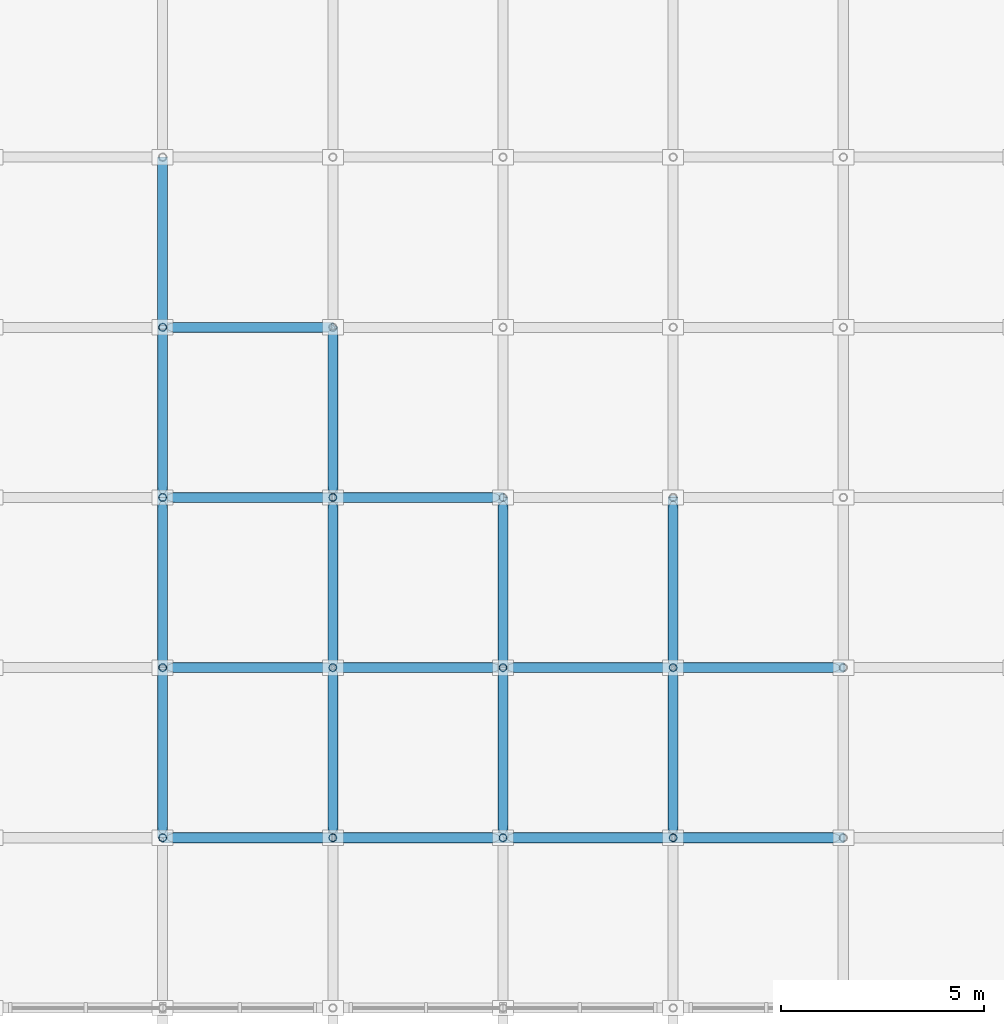
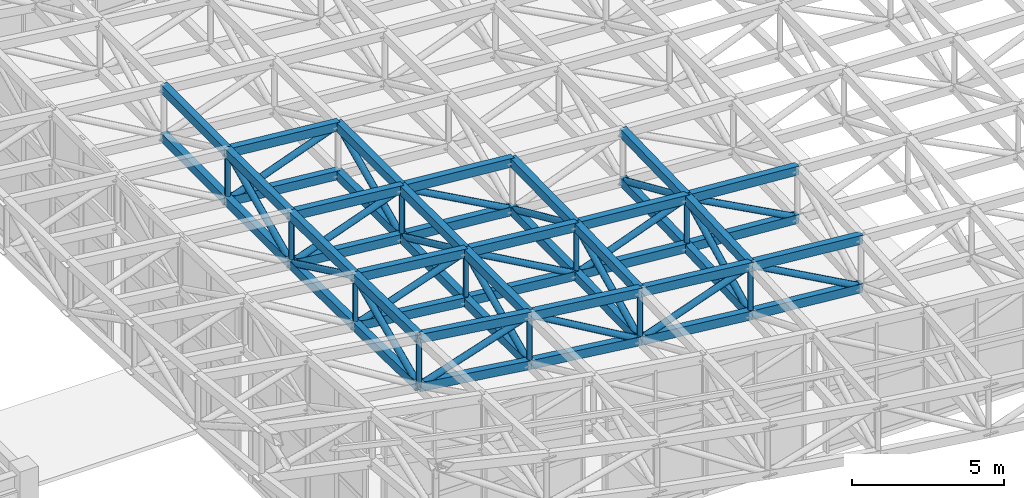
# One storey, part 26 of 111: 76 members.
"""IFC4 building model written with IfcOpenShell, lengths in metres."""

from ifc_helpers import new_model, si_unit, direction, frame, origin, origin_2d, place, context, subcontext, project, spatial, hollow_rectangle, hollow_circle, extrude, material, material_profile, profile_set, type_object, element, save


model = new_model("IFC4")

# Units and contexts
model_context = context("Model", 3, precision=1e-05, world=origin(), true_north=direction((0.0, 1.0)))
body_context = subcontext(model_context, "Body", "Model", "MODEL_VIEW")
ifc_project = project(units=[si_unit("LENGTHUNIT", "METRE"), si_unit("AREAUNIT", "SQUARE_METRE"), si_unit("VOLUMEUNIT", "CUBIC_METRE"), si_unit("PLANEANGLEUNIT", "RADIAN"), si_unit("MASSUNIT", "GRAM", prefix="KILO")], contexts=[model_context])

# Site, building, storey
site_placement = place(None, origin())
site = spatial("IfcSite", under=ifc_project, at=site_placement, CompositionType="ELEMENT")
building_placement = place(site_placement, origin())
building = spatial("IfcBuilding", under=site, at=building_placement, Name="Cumbredor Promenade Congress Hotel", CompositionType="ELEMENT")
storey_placement = place(building_placement, frame((0.0, 0.0, 15.1201171875)))
storey = spatial("IfcBuildingStorey", under=building, at=storey_placement, Name="L04", CompositionType="ELEMENT", Elevation=15.1201171875)

# Members
ifc_material = material(Name="Steel ASTM A500 Grade C", Category="steel")
ifc_material_profile_1 = material_profile(ifc_material, hollow_rectangle(XDim=0.25, YDim=0.35009765625, WallThickness=0.01611328125, at=origin_2d()), Name="HSS 350x250x16")
ifc_profile_set_1 = profile_set([ifc_material_profile_1], Name="Steel ASTM A500 Grade C")
member_type_1 = type_object("IfcMemberType", Name="Forum Roof Truss Chord", PredefinedType="CHORD", material=ifc_profile_set_1)
for number, where, z_axis, x_axis, name in (
    (1, (96.60009765625, 88.199951171875, 6.60009765625), (0.99078279409, 0.0, -0.135460159955), (0.0, 1.0, 0.0), "Pre-Function and Breakout Meeting Forum X Top Chord 3.3"),
    (2, (96.60009765625, 88.199951171875, 4.650146484375), (0.990775062808, 0.0, -0.135516696087), (0.0, 1.0, 0.0), "Pre-Function and Breakout Meeting Forum X Bottom Chord 3.3"),
):
    element("IfcMember", number, at=place(storey_placement, frame(where, z_axis=z_axis, x_axis=x_axis)), inside=storey, type_object=member_type_1, Name=name, PredefinedType="CHORD", context=body_context, shape_type="SweptSolid", body=[
        extrude(hollow_rectangle(XDim=0.25, YDim=0.35009765625, WallThickness=0.01611328125, at=origin_2d()), origin(), (0.0, 0.0, 1.0), 4.239013671875),
    ])
for number, where, z_axis, x_axis, name in (
    (3, (100.800048828125, 88.199951171875, 6.02587890625), (0.992790285705, 0.0, -0.119864292473), (0.0, 1.0, 0.0), "Pre-Function and Breakout Meeting Forum X Top Chord 4.3"),
    (4, (100.800048828125, 88.199951171875, 4.07568359375), (0.992790285705, 0.0, -0.119864292473), (0.0, 1.0, 0.0), "Pre-Function and Breakout Meeting Forum X Bottom Chord 4.3"),
):
    element("IfcMember", number, at=place(storey_placement, frame(where, z_axis=z_axis, x_axis=x_axis)), inside=storey, type_object=member_type_1, Name=name, PredefinedType="CHORD", context=body_context, shape_type="SweptSolid", body=[
        extrude(hollow_rectangle(XDim=0.25, YDim=0.35009765625, WallThickness=0.01611328125, at=origin_2d()), origin(), (0.0, 0.0, 1.0), 4.23046875),
    ])
for number, where, z_axis, x_axis, name in (
    (5, (105.0, 88.199951171875, 5.518798828125), (0.994564532664, 0.0, -0.104121997519), (0.0, 1.0, 0.0), "Pre-Function and Breakout Meeting Forum X Top Chord 5.3"),
    (6, (105.0, 88.199951171875, 3.568603515625), (0.994564532664, 0.0, -0.104121997519), (0.0, 1.0, 0.0), "Pre-Function and Breakout Meeting Forum X Bottom Chord 5.3"),
):
    element("IfcMember", number, at=place(storey_placement, frame(where, z_axis=z_axis, x_axis=x_axis)), inside=storey, type_object=member_type_1, Name=name, PredefinedType="CHORD", context=body_context, shape_type="SweptSolid", body=[
        extrude(hollow_rectangle(XDim=0.25, YDim=0.35009765625, WallThickness=0.01611328125, at=origin_2d()), origin(), (0.0, 0.0, 1.0), 4.222900390625),
    ])
for number, where, z_axis, x_axis, name in (
    (7, (109.199951171875, 88.199951171875, 5.0791015625), (0.996093832538, 0.0, -0.088301057642), (0.0, 1.0, 0.0), "Pre-Function and Breakout Meeting Forum X Top Chord 6.3"),
    (8, (109.199951171875, 88.199951171875, 3.12890625), (0.996098923772, 0.0, -0.088243606338), (0.0, 1.0, 0.0), "Pre-Function and Breakout Meeting Forum X Bottom Chord 6.3"),
):
    element("IfcMember", number, at=place(storey_placement, frame(where, z_axis=z_axis, x_axis=x_axis)), inside=storey, type_object=member_type_1, Name=name, PredefinedType="CHORD", context=body_context, shape_type="SweptSolid", body=[
        extrude(hollow_rectangle(XDim=0.25, YDim=0.35009765625, WallThickness=0.01611328125, at=origin_2d()), origin(), (0.0, 0.0, 1.0), 4.21630859375),
    ])
for number, where, z_axis, x_axis, name in (
    (9, (96.60009765625, 92.39990234375, 6.5), (0.993701360609, 0.0, -0.112060724268), (0.0, 1.0, 0.0), "Pre-Function and Breakout Meeting Forum X Top Chord 3.4"),
    (10, (96.60009765625, 92.39990234375, 4.5498046875), (0.993701360609, 0.0, -0.112060724268), (0.0, 1.0, 0.0), "Pre-Function and Breakout Meeting Forum X Bottom Chord 3.4"),
):
    element("IfcMember", number, at=place(storey_placement, frame(where, z_axis=z_axis, x_axis=x_axis)), inside=storey, type_object=member_type_1, Name=name, PredefinedType="CHORD", context=body_context, shape_type="SweptSolid", body=[
        extrude(hollow_rectangle(XDim=0.25, YDim=0.35009765625, WallThickness=0.01611328125, at=origin_2d()), origin(), (0.0, 0.0, 1.0), 4.2265625),
    ])
for number, where, z_axis, x_axis, name in (
    (11, (100.800048828125, 92.39990234375, 6.0263671875), (0.99507890994, 0.0, -0.099085634641), (0.0, 1.0, 0.0), "Pre-Function and Breakout Meeting Forum X Top Chord 4.4"),
    (12, (100.800048828125, 92.39990234375, 4.076171875), (0.995084611563, 0.0, -0.099028358716), (0.0, 1.0, 0.0), "Pre-Function and Breakout Meeting Forum X Bottom Chord 4.4"),
):
    element("IfcMember", number, at=place(storey_placement, frame(where, z_axis=z_axis, x_axis=x_axis)), inside=storey, type_object=member_type_1, Name=name, PredefinedType="CHORD", context=body_context, shape_type="SweptSolid", body=[
        extrude(hollow_rectangle(XDim=0.25, YDim=0.35009765625, WallThickness=0.01611328125, at=origin_2d()), origin(), (0.0, 0.0, 1.0), 4.220703125),
    ])
for number, where, z_axis, x_axis, name in (
    (13, (105.0, 92.39990234375, 5.608154296875), (0.996294936381, 0.0, -0.086002324044), (0.0, 1.0, 0.0), "Pre-Function and Breakout Meeting Forum X Top Chord 5.4"),
    (14, (105.0, 92.39990234375, 3.658203125), (0.996294936381, 0.0, -0.086002324044), (0.0, 1.0, 0.0), "Pre-Function and Breakout Meeting Forum X Bottom Chord 5.4"),
):
    element("IfcMember", number, at=place(storey_placement, frame(where, z_axis=z_axis, x_axis=x_axis)), inside=storey, type_object=member_type_1, Name=name, PredefinedType="CHORD", context=body_context, shape_type="SweptSolid", body=[
        extrude(hollow_rectangle(XDim=0.25, YDim=0.35009765625, WallThickness=0.01611328125, at=origin_2d()), origin(), (0.0, 0.0, 1.0), 4.215576171875),
    ])
for number, where, z_axis, x_axis, name in (
    (15, (109.199951171875, 92.39990234375, 5.24560546875), (0.997345340249, 0.0, -0.072816703328), (0.0, 1.0, 0.0), "Pre-Function and Breakout Meeting Forum X Top Chord 6.4"),
    (16, (109.199951171875, 92.39990234375, 3.295654296875), (0.997345340249, 0.0, -0.072816703328), (0.0, 1.0, 0.0), "Pre-Function and Breakout Meeting Forum X Bottom Chord 6.4"),
):
    element("IfcMember", number, at=place(storey_placement, frame(where, z_axis=z_axis, x_axis=x_axis)), inside=storey, type_object=member_type_1, Name=name, PredefinedType="CHORD", context=body_context, shape_type="SweptSolid", body=[
        extrude(hollow_rectangle(XDim=0.25, YDim=0.35009765625, WallThickness=0.01611328125, at=origin_2d()), origin(), (0.0, 0.0, 1.0), 4.211181640625),
    ])
for number, where, z_axis, x_axis, name in (
    (17, (96.60009765625, 96.60009765625, 6.439697265625), (0.995192328225, 0.0, -0.097939929761), (0.0, 1.0, 0.0), "Pre-Function and Breakout Meeting Forum X Top Chord 3.5"),
    (18, (96.60009765625, 96.60009765625, 4.48974609375), (0.995192328225, 0.0, -0.097939929761), (0.0, 1.0, 0.0), "Pre-Function and Breakout Meeting Forum X Bottom Chord 3.5"),
):
    element("IfcMember", number, at=place(storey_placement, frame(where, z_axis=z_axis, x_axis=x_axis)), inside=storey, type_object=member_type_1, Name=name, PredefinedType="CHORD", context=body_context, shape_type="SweptSolid", body=[
        extrude(hollow_rectangle(XDim=0.25, YDim=0.35009765625, WallThickness=0.01611328125, at=origin_2d()), origin(), (0.0, 0.0, 1.0), 4.22021484375),
    ])
for number, where, z_axis, x_axis, name in (
    (19, (100.800048828125, 96.60009765625, 6.0263671875), (0.996255133542, 0.0, -0.086462181851), (0.0, 1.0, 0.0), "Pre-Function and Breakout Meeting Forum X Top Chord 4.5"),
    (20, (100.800048828125, 96.60009765625, 4.076416015625), (0.996250143488, 0.0, -0.086519660197), (0.0, 1.0, 0.0), "Pre-Function and Breakout Meeting Forum X Bottom Chord 4.5"),
):
    element("IfcMember", number, at=place(storey_placement, frame(where, z_axis=z_axis, x_axis=x_axis)), inside=storey, type_object=member_type_1, Name=name, PredefinedType="CHORD", context=body_context, shape_type="SweptSolid", body=[
        extrude(hollow_rectangle(XDim=0.25, YDim=0.35009765625, WallThickness=0.01611328125, at=origin_2d()), origin(), (0.0, 0.0, 1.0), 4.2158203125),
    ])
for number, where, z_axis, x_axis, name in (
    (21, (96.60009765625, 100.800048828125, 6.419677734375), (0.995649172635, 0.0, -0.09318114096), (0.0, 1.0, 0.0), "Pre-Function and Breakout Meeting Forum X Top Chord 3.6"),
    (22, (96.60009765625, 100.800048828125, 4.4697265625), (0.995649172635, 0.0, -0.09318114096), (0.0, 1.0, 0.0), "Pre-Function and Breakout Meeting Forum X Bottom Chord 3.6"),
):
    element("IfcMember", number, at=place(storey_placement, frame(where, z_axis=z_axis, x_axis=x_axis)), inside=storey, type_object=member_type_1, Name=name, PredefinedType="CHORD", context=body_context, shape_type="SweptSolid", body=[
        extrude(hollow_rectangle(XDim=0.25, YDim=0.35009765625, WallThickness=0.01611328125, at=origin_2d()), origin(), (0.0, 0.0, 1.0), 4.21826171875),
    ])
for number, where, z_axis, x_axis, name in (
    (23, (96.60009765625, 88.199951171875, 6.60009765625), (0.0, 0.99971611374, -0.023826286498), (-1.0, 0.0, 0.0), "Pre-Function and Breakout Meeting Forum Y Top Chord 3.3"),
    (24, (96.60009765625, 88.199951171875, 4.650146484375), (0.0, 0.999714727834, -0.023884366281), (-1.0, 0.0, 0.0), "Pre-Function and Breakout Meeting Forum Y Bottom Chord 3.3"),
):
    element("IfcMember", number, at=place(storey_placement, frame(where, z_axis=z_axis, x_axis=x_axis)), inside=storey, type_object=member_type_1, Name=name, PredefinedType="CHORD", context=body_context, shape_type="SweptSolid", body=[
        extrude(hollow_rectangle(XDim=0.25, YDim=0.35009765625, WallThickness=0.01611328125, at=origin_2d()), origin(), (0.0, 0.0, 1.0), 4.201171875),
    ])
for number, where, z_axis, x_axis, name in (
    (25, (96.60009765625, 92.39990234375, 6.5), (0.0, 0.999896952393, -0.014355646782), (-1.0, 0.0, 0.0), "Pre-Function and Breakout Meeting Forum Y Top Chord 3.4"),
    (26, (96.60009765625, 92.39990234375, 4.5498046875), (0.0, 0.99989778497, -0.01429753866), (-1.0, 0.0, 0.0), "Pre-Function and Breakout Meeting Forum Y Bottom Chord 3.4"),
):
    element("IfcMember", number, at=place(storey_placement, frame(where, z_axis=z_axis, x_axis=x_axis)), inside=storey, type_object=member_type_1, Name=name, PredefinedType="CHORD", context=body_context, shape_type="SweptSolid", body=[
        extrude(hollow_rectangle(XDim=0.25, YDim=0.35009765625, WallThickness=0.01611328125, at=origin_2d()), origin(), (0.0, 0.0, 1.0), 4.20068359375),
    ])
for number, where, z_axis, x_axis, name in (
    (27, (96.60009765625, 96.60009765625, 6.439697265625), (0.0, 0.999988639906, -0.004766556326), (-1.0, 0.0, 0.0), "Pre-Function and Breakout Meeting Forum Y Top Chord 3.5"),
    (28, (96.60009765625, 96.60009765625, 4.48974609375), (0.0, 0.999988639906, -0.004766556326), (-1.0, 0.0, 0.0), "Pre-Function and Breakout Meeting Forum Y Bottom Chord 3.5"),
    (29, (96.60009765625, 100.800048828125, 6.419677734375), (0.0, 0.999988639906, 0.004766556326), (-1.0, 0.0, 0.0), "Pre-Function and Breakout Meeting Forum Y Top Chord 3.6"),
    (30, (96.60009765625, 100.800048828125, 4.4697265625), (0.0, 0.999988639906, 0.004766556326), (-1.0, 0.0, 0.0), "Pre-Function and Breakout Meeting Forum Y Bottom Chord 3.6"),
    (31, (100.800048828125, 88.199951171875, 6.02587890625), (0.0, 0.999999993242, 0.000116258791), (-1.0, 0.0, 0.0), "Pre-Function and Breakout Meeting Forum Y Top Chord 4.3"),
    (32, (100.800048828125, 88.199951171875, 4.07568359375), (0.0, 0.999999993242, 0.000116258791), (-1.0, 0.0, 0.0), "Pre-Function and Breakout Meeting Forum Y Bottom Chord 4.3"),
):
    element("IfcMember", number, at=place(storey_placement, frame(where, z_axis=z_axis, x_axis=x_axis)), inside=storey, type_object=member_type_1, Name=name, PredefinedType="CHORD", context=body_context, shape_type="SweptSolid", body=[
        extrude(hollow_rectangle(XDim=0.25, YDim=0.35009765625, WallThickness=0.01611328125, at=origin_2d()), origin(), (0.0, 0.0, 1.0), 4.199951171875),
    ])
for number, where, z_axis, x_axis, name in (
    (33, (100.800048828125, 92.39990234375, 6.0263671875), (0.0, 1.0, 0.0), (-1.0, 0.0, 0.0), "Pre-Function and Breakout Meeting Forum Y Top Chord 4.4"),
    (34, (100.800048828125, 92.39990234375, 4.076171875), (0.0, 0.999999998311, 5.8126017e-05), (-1.0, 0.0, 0.0), "Pre-Function and Breakout Meeting Forum Y Bottom Chord 4.4"),
):
    element("IfcMember", number, at=place(storey_placement, frame(where, z_axis=z_axis, x_axis=x_axis)), inside=storey, type_object=member_type_1, Name=name, PredefinedType="CHORD", context=body_context, shape_type="SweptSolid", body=[
        extrude(hollow_rectangle(XDim=0.25, YDim=0.35009765625, WallThickness=0.01611328125, at=origin_2d()), origin(), (0.0, 0.0, 1.0), 4.2001953125),
    ])
for number, where, z_axis, x_axis, name in (
    (35, (100.800048828125, 96.60009765625, 6.0263671875), (0.0, 0.99999999831, 5.8129396e-05), (-1.0, 0.0, 0.0), "Pre-Function and Breakout Meeting Forum Y Top Chord 4.5"),
    (36, (100.800048828125, 96.60009765625, 4.076416015625), (0.0, 0.99999999831, 5.8129396e-05), (-1.0, 0.0, 0.0), "Pre-Function and Breakout Meeting Forum Y Bottom Chord 4.5"),
):
    element("IfcMember", number, at=place(storey_placement, frame(where, z_axis=z_axis, x_axis=x_axis)), inside=storey, type_object=member_type_1, Name=name, PredefinedType="CHORD", context=body_context, shape_type="SweptSolid", body=[
        extrude(hollow_rectangle(XDim=0.25, YDim=0.35009765625, WallThickness=0.01611328125, at=origin_2d()), origin(), (0.0, 0.0, 1.0), 4.199951171875),
    ])
for number, where, z_axis, x_axis, name in (
    (37, (105.0, 88.199951171875, 5.518798828125), (0.0, 0.999773756353, 0.021270545534), (-1.0, 0.0, 0.0), "Pre-Function and Breakout Meeting Forum Y Top Chord 5.3"),
    (38, (105.0, 88.199951171875, 3.568603515625), (0.0, 0.999772518783, 0.021328635377), (-1.0, 0.0, 0.0), "Pre-Function and Breakout Meeting Forum Y Bottom Chord 5.3"),
):
    element("IfcMember", number, at=place(storey_placement, frame(where, z_axis=z_axis, x_axis=x_axis)), inside=storey, type_object=member_type_1, Name=name, PredefinedType="CHORD", context=body_context, shape_type="SweptSolid", body=[
        extrude(hollow_rectangle(XDim=0.25, YDim=0.35009765625, WallThickness=0.01611328125, at=origin_2d()), origin(), (0.0, 0.0, 1.0), 4.200927734375),
    ])
for number, where, z_axis, x_axis, name in (
    (39, (105.0, 92.39990234375, 5.608154296875), (0.0, 0.999918247087, 0.012786678351), (-1.0, 0.0, 0.0), "Pre-Function and Breakout Meeting Forum Y Top Chord 5.4"),
    (40, (105.0, 92.39990234375, 3.658203125), (0.0, 0.999918988516, 0.012728566524), (-1.0, 0.0, 0.0), "Pre-Function and Breakout Meeting Forum Y Bottom Chord 5.4"),
):
    element("IfcMember", number, at=place(storey_placement, frame(where, z_axis=z_axis, x_axis=x_axis)), inside=storey, type_object=member_type_1, Name=name, PredefinedType="CHORD", context=body_context, shape_type="SweptSolid", body=[
        extrude(hollow_rectangle(XDim=0.25, YDim=0.35009765625, WallThickness=0.01611328125, at=origin_2d()), origin(), (0.0, 0.0, 1.0), 4.200439453125),
    ])
for number, where, z_axis, x_axis, name in (
    (41, (109.199951171875, 88.199951171875, 5.0791015625), (0.0, 0.999215091886, 0.039613131004), (-1.0, 0.0, 0.0), "Pre-Function and Breakout Meeting Forum Y Top Chord 6.3"),
    (42, (109.199951171875, 88.199951171875, 3.12890625), (0.0, 0.999212791134, 0.039671123429), (-1.0, 0.0, 0.0), "Pre-Function and Breakout Meeting Forum Y Bottom Chord 6.3"),
):
    element("IfcMember", number, at=place(storey_placement, frame(where, z_axis=z_axis, x_axis=x_axis)), inside=storey, type_object=member_type_1, Name=name, PredefinedType="CHORD", context=body_context, shape_type="SweptSolid", body=[
        extrude(hollow_rectangle(XDim=0.25, YDim=0.35009765625, WallThickness=0.01611328125, at=origin_2d()), origin(), (0.0, 0.0, 1.0), 4.203369140625),
    ])
for number, where, z_axis, x_axis, name in (
    (43, (109.199951171875, 92.39990234375, 5.24560546875), (0.0, 0.999716146727, 0.023824902357), (-1.0, 0.0, 0.0), "Pre-Function and Breakout Meeting Forum Y Top Chord 6.4"),
    (44, (109.199951171875, 92.39990234375, 3.295654296875), (0.0, 0.999716146727, 0.023824902357), (-1.0, 0.0, 0.0), "Pre-Function and Breakout Meeting Forum Y Bottom Chord 6.4"),
):
    element("IfcMember", number, at=place(storey_placement, frame(where, z_axis=z_axis, x_axis=x_axis)), inside=storey, type_object=member_type_1, Name=name, PredefinedType="CHORD", context=body_context, shape_type="SweptSolid", body=[
        extrude(hollow_rectangle(XDim=0.25, YDim=0.35009765625, WallThickness=0.01611328125, at=origin_2d()), origin(), (0.0, 0.0, 1.0), 4.201416015625),
    ])
ifc_material_profile_2 = material_profile(ifc_material, hollow_circle(Radius=0.122314453125, WallThickness=0.012451171875, at=origin_2d()), Name="CHS 244.5x12.5")
ifc_profile_set_2 = profile_set([ifc_material_profile_2], Name="Steel ASTM A500 Grade C")
member_type_2 = type_object("IfcMemberType", Name="Space Frame Web Diagonal D2", PredefinedType="BRACE", material=ifc_profile_set_2)
member_1_placement = place(storey_placement, frame((96.60009765625, 88.199951171875, 4.650146484375), z_axis=(0.950316635251, 0.0, 0.3112849061), x_axis=(0.0, 1.0, 0.0)))
element("IfcMember", 45, at=member_1_placement, inside=storey, type_object=member_type_2, Name="Pre-Function and Breakout Meeting Forum X Web Diagonal 3.3", PredefinedType="BRACE", context=body_context, shape_type="SweptSolid", body=[
    extrude(hollow_circle(Radius=0.122314453125, WallThickness=0.012451171875, at=origin_2d()), origin(), (0.0, 0.0, 1.0), 4.41943359375),
])
member_2_placement = place(storey_placement, frame((100.800048828125, 88.199951171875, 6.02587890625), z_axis=(0.863124886965, 0.0, -0.50499052417), x_axis=(0.0, 1.0, 0.0)))
element("IfcMember", 46, at=member_2_placement, inside=storey, type_object=member_type_2, Name="Pre-Function and Breakout Meeting Forum X Web Diagonal 4.3", PredefinedType="BRACE", context=body_context, shape_type="SweptSolid", body=[
    extrude(hollow_circle(Radius=0.122314453125, WallThickness=0.012451171875, at=origin_2d()), origin(), (0.0, 0.0, 1.0), 4.865966796875),
])
member_3_placement = place(storey_placement, frame((105.0, 88.199951171875, 3.568603515625), z_axis=(0.94099335553, 0.0, 0.338425035788), x_axis=(0.0, 1.0, 0.0)))
element("IfcMember", 47, at=member_3_placement, inside=storey, type_object=member_type_2, Name="Pre-Function and Breakout Meeting Forum X Web Diagonal 5.3", PredefinedType="BRACE", context=body_context, shape_type="SweptSolid", body=[
    extrude(hollow_circle(Radius=0.122314453125, WallThickness=0.012451171875, at=origin_2d()), origin(), (0.0, 0.0, 1.0), 4.46337890625),
])
member_4_placement = place(storey_placement, frame((109.199951171875, 88.199951171875, 5.0791015625), z_axis=(0.875132133873, 0.0, -0.483884023566), x_axis=(0.0, 1.0, 0.0)))
element("IfcMember", 48, at=member_4_placement, inside=storey, type_object=member_type_2, Name="Pre-Function and Breakout Meeting Forum X Web Diagonal 6.3", PredefinedType="BRACE", context=body_context, shape_type="SweptSolid", body=[
    extrude(hollow_circle(Radius=0.122314453125, WallThickness=0.012451171875, at=origin_2d()), origin(), (0.0, 0.0, 1.0), 4.79931640625),
])
member_5_placement = place(storey_placement, frame((96.60009765625, 92.39990234375, 4.5498046875), z_axis=(0.943396618832, 0.0, 0.331666729681), x_axis=(0.0, 1.0, 0.0)))
element("IfcMember", 49, at=member_5_placement, inside=storey, type_object=member_type_2, Name="Pre-Function and Breakout Meeting Forum X Web Diagonal 3.4", PredefinedType="BRACE", context=body_context, shape_type="SweptSolid", body=[
    extrude(hollow_circle(Radius=0.122314453125, WallThickness=0.012451171875, at=origin_2d()), origin(), (0.0, 0.0, 1.0), 4.451904296875),
])
member_6_placement = place(storey_placement, frame((100.800048828125, 92.39990234375, 6.0263671875), z_axis=(0.871070680994, 0.0, -0.491157682128), x_axis=(0.0, 1.0, 0.0)))
element("IfcMember", 50, at=member_6_placement, inside=storey, type_object=member_type_2, Name="Pre-Function and Breakout Meeting Forum X Web Diagonal 4.4", PredefinedType="BRACE", context=body_context, shape_type="SweptSolid", body=[
    extrude(hollow_circle(Radius=0.122314453125, WallThickness=0.012451171875, at=origin_2d()), origin(), (0.0, 0.0, 1.0), 4.821533203125),
])
member_7_placement = place(storey_placement, frame((105.0, 92.39990234375, 3.658203125), z_axis=(0.935416555501, 0.0, 0.353547546583), x_axis=(0.0, 1.0, 0.0)))
element("IfcMember", 51, at=member_7_placement, inside=storey, type_object=member_type_2, Name="Pre-Function and Breakout Meeting Forum X Web Diagonal 5.4", PredefinedType="BRACE", context=body_context, shape_type="SweptSolid", body=[
    extrude(hollow_circle(Radius=0.122314453125, WallThickness=0.012451171875, at=origin_2d()), origin(), (0.0, 0.0, 1.0), 4.489990234375),
])
member_8_placement = place(storey_placement, frame((109.199951171875, 92.39990234375, 5.24560546875), z_axis=(0.880901526839, 0.0, -0.473299588012), x_axis=(0.0, 1.0, 0.0)))
element("IfcMember", 52, at=member_8_placement, inside=storey, type_object=member_type_2, Name="Pre-Function and Breakout Meeting Forum X Web Diagonal 6.4", PredefinedType="BRACE", context=body_context, shape_type="SweptSolid", body=[
    extrude(hollow_circle(Radius=0.122314453125, WallThickness=0.012451171875, at=origin_2d()), origin(), (0.0, 0.0, 1.0), 4.767822265625),
])
member_9_placement = place(storey_placement, frame((96.60009765625, 96.60009765625, 4.48974609375), z_axis=(0.939118985478, 0.0, 0.343592099901), x_axis=(0.0, 1.0, 0.0)))
element("IfcMember", 53, at=member_9_placement, inside=storey, type_object=member_type_2, Name="Pre-Function and Breakout Meeting Forum X Web Diagonal 3.5", PredefinedType="BRACE", context=body_context, shape_type="SweptSolid", body=[
    extrude(hollow_circle(Radius=0.122314453125, WallThickness=0.012451171875, at=origin_2d()), origin(), (0.0, 0.0, 1.0), 4.47216796875),
])
member_10_placement = place(storey_placement, frame((100.800048828125, 96.60009765625, 6.0263671875), z_axis=(0.875799607979, 0.0, -0.482674887127), x_axis=(0.0, 1.0, 0.0)))
element("IfcMember", 54, at=member_10_placement, inside=storey, type_object=member_type_2, Name="Pre-Function and Breakout Meeting Forum X Web Diagonal 4.5", PredefinedType="BRACE", context=body_context, shape_type="SweptSolid", body=[
    extrude(hollow_circle(Radius=0.122314453125, WallThickness=0.012451171875, at=origin_2d()), origin(), (0.0, 0.0, 1.0), 4.795654296875),
])
member_11_placement = place(storey_placement, frame((96.60009765625, 100.800048828125, 4.4697265625), z_axis=(0.937650758936, 0.0, 0.347578846116), x_axis=(0.0, 1.0, 0.0)))
element("IfcMember", 55, at=member_11_placement, inside=storey, type_object=member_type_2, Name="Pre-Function and Breakout Meeting Forum X Web Diagonal 3.6", PredefinedType="BRACE", context=body_context, shape_type="SweptSolid", body=[
    extrude(hollow_circle(Radius=0.122314453125, WallThickness=0.012451171875, at=origin_2d()), origin(), (0.0, 0.0, 1.0), 4.479248046875),
])
member_12_placement = place(storey_placement, frame((96.60009765625, 88.199951171875, 4.650146484375), z_axis=(0.0, 0.915164359743, 0.403080878554), x_axis=(-1.0, 0.0, 0.0)))
element("IfcMember", 56, at=member_12_placement, inside=storey, type_object=member_type_2, Name="Pre-Function and Breakout Meeting Forum Y Web Diagonal 3.3", PredefinedType="BRACE", context=body_context, shape_type="SweptSolid", body=[
    extrude(hollow_circle(Radius=0.122314453125, WallThickness=0.012451171875, at=origin_2d()), origin(), (0.0, 0.0, 1.0), 4.58935546875),
])
member_13_placement = place(storey_placement, frame((96.60009765625, 92.39990234375, 6.5), z_axis=(0.0, 0.902011740274, -0.431711501361), x_axis=(-1.0, 0.0, 0.0)))
element("IfcMember", 57, at=member_13_placement, inside=storey, type_object=member_type_2, Name="Pre-Function and Breakout Meeting Forum Y Web Diagonal 3.4", PredefinedType="BRACE", context=body_context, shape_type="SweptSolid", body=[
    extrude(hollow_circle(Radius=0.122314453125, WallThickness=0.012451171875, at=origin_2d()), origin(), (0.0, 0.0, 1.0), 4.656494140625),
])
member_14_placement = place(storey_placement, frame((96.60009765625, 96.60009765625, 4.48974609375), z_axis=(0.0, 0.908658429434, 0.417540247903), x_axis=(-1.0, 0.0, 0.0)))
element("IfcMember", 58, at=member_14_placement, inside=storey, type_object=member_type_2, Name="Pre-Function and Breakout Meeting Forum Y Web Diagonal 3.5", PredefinedType="BRACE", context=body_context, shape_type="SweptSolid", body=[
    extrude(hollow_circle(Radius=0.122314453125, WallThickness=0.012451171875, at=origin_2d()), origin(), (0.0, 0.0, 1.0), 4.6220703125),
])
for number, where, z_axis, x_axis, name in (
    (59, (100.800048828125, 88.199951171875, 4.07568359375), (0.0, 0.906950706517, 0.421236769463), (-1.0, 0.0, 0.0), "Pre-Function and Breakout Meeting Forum Y Web Diagonal 4.3"),
    (60, (100.800048828125, 92.39990234375, 6.0263671875), (0.0, 0.907020474303, -0.421086522219), (-1.0, 0.0, 0.0), "Pre-Function and Breakout Meeting Forum Y Web Diagonal 4.4"),
):
    element("IfcMember", number, at=place(storey_placement, frame(where, z_axis=z_axis, x_axis=x_axis)), inside=storey, type_object=member_type_2, Name=name, PredefinedType="BRACE", context=body_context, shape_type="SweptSolid", body=[
        extrude(hollow_circle(Radius=0.122314453125, WallThickness=0.012451171875, at=origin_2d()), origin(), (0.0, 0.0, 1.0), 4.630859375),
    ])
member_15_placement = place(storey_placement, frame((100.800048828125, 96.60009765625, 4.076416015625), z_axis=(0.0, 0.90699098694, 0.421150032185), x_axis=(-1.0, 0.0, 0.0)))
element("IfcMember", 61, at=member_15_placement, inside=storey, type_object=member_type_2, Name="Pre-Function and Breakout Meeting Forum Y Web Diagonal 4.5", PredefinedType="BRACE", context=body_context, shape_type="SweptSolid", body=[
    extrude(hollow_circle(Radius=0.122314453125, WallThickness=0.012451171875, at=origin_2d()), origin(), (0.0, 0.0, 1.0), 4.630615234375),
])
member_16_placement = place(storey_placement, frame((105.0, 88.199951171875, 3.568603515625), z_axis=(0.0, 0.899543971059, 0.436830223463), x_axis=(-1.0, 0.0, 0.0)))
element("IfcMember", 62, at=member_16_placement, inside=storey, type_object=member_type_2, Name="Pre-Function and Breakout Meeting Forum Y Web Diagonal 5.3", PredefinedType="BRACE", context=body_context, shape_type="SweptSolid", body=[
    extrude(hollow_circle(Radius=0.122314453125, WallThickness=0.012451171875, at=origin_2d()), origin(), (0.0, 0.0, 1.0), 4.6689453125),
])
member_17_placement = place(storey_placement, frame((105.0, 92.39990234375, 5.608154296875), z_axis=(0.0, 0.911401366309, -0.411518589484), x_axis=(-1.0, 0.0, 0.0)))
element("IfcMember", 63, at=member_17_placement, inside=storey, type_object=member_type_2, Name="Pre-Function and Breakout Meeting Forum Y Web Diagonal 5.4", PredefinedType="BRACE", context=body_context, shape_type="SweptSolid", body=[
    extrude(hollow_circle(Radius=0.122314453125, WallThickness=0.012451171875, at=origin_2d()), origin(), (0.0, 0.0, 1.0), 4.6083984375),
])
member_18_placement = place(storey_placement, frame((109.199951171875, 88.199951171875, 3.12890625), z_axis=(0.0, 0.893000345184, 0.450055978187), x_axis=(-1.0, 0.0, 0.0)))
element("IfcMember", 64, at=member_18_placement, inside=storey, type_object=member_type_2, Name="Pre-Function and Breakout Meeting Forum Y Web Diagonal 6.3", PredefinedType="BRACE", context=body_context, shape_type="SweptSolid", body=[
    extrude(hollow_circle(Radius=0.122314453125, WallThickness=0.012451171875, at=origin_2d()), origin(), (0.0, 0.0, 1.0), 4.703125),
])
member_19_placement = place(storey_placement, frame((109.199951171875, 92.39990234375, 5.24560546875), z_axis=(0.0, 0.915173002406, -0.403061255477), x_axis=(-1.0, 0.0, 0.0)))
element("IfcMember", 65, at=member_19_placement, inside=storey, type_object=member_type_2, Name="Pre-Function and Breakout Meeting Forum Y Web Diagonal 6.4", PredefinedType="BRACE", context=body_context, shape_type="SweptSolid", body=[
    extrude(hollow_circle(Radius=0.122314453125, WallThickness=0.012451171875, at=origin_2d()), origin(), (0.0, 0.0, 1.0), 4.589599609375),
])
ifc_material_profile_3 = material_profile(ifc_material, hollow_circle(Radius=0.096923828125, WallThickness=0.010009765625, at=origin_2d()), Name="CHS 193.7x10")
ifc_profile_set_3 = profile_set([ifc_material_profile_3], Name="Steel ASTM A500 Grade C")
member_type_3 = type_object("IfcMemberType", Name="Space Frame Web Post P1", PredefinedType="BRACE", material=ifc_profile_set_3)
member_20_placement = place(storey_placement, frame((96.60009765625, 88.199951171875, 4.650146484375), z_axis=(0.0, 0.0, 1.0), x_axis=(1.0, 0.0, 0.0)))
element("IfcMember", 66, at=member_20_placement, inside=storey, type_object=member_type_3, Name="Pre-Function and Breakout Meeting Forum Space Frame Web Post 3.3", PredefinedType="BRACE", context=body_context, shape_type="SweptSolid", body=[
    extrude(hollow_circle(Radius=0.096923828125, WallThickness=0.010009765625, at=origin_2d()), origin(), (0.0, 0.0, 1.0), 1.949951171875),
])
member_21_placement = place(storey_placement, frame((96.60009765625, 92.39990234375, 4.5498046875), z_axis=(0.0, 0.0, 1.0), x_axis=(1.0, 0.0, 0.0)))
element("IfcMember", 67, at=member_21_placement, inside=storey, type_object=member_type_3, Name="Pre-Function and Breakout Meeting Forum Space Frame Web Post 3.4", PredefinedType="BRACE", context=body_context, shape_type="SweptSolid", body=[
    extrude(hollow_circle(Radius=0.096923828125, WallThickness=0.010009765625, at=origin_2d()), origin(), (0.0, 0.0, 1.0), 1.9501953125),
])
for number, where, z_axis, x_axis, name in (
    (68, (96.60009765625, 96.60009765625, 4.48974609375), (0.0, 0.0, 1.0), (1.0, 0.0, 0.0), "Pre-Function and Breakout Meeting Forum Space Frame Web Post 3.5"),
    (69, (96.60009765625, 100.800048828125, 4.4697265625), (0.0, 0.0, 1.0), (1.0, 0.0, 0.0), "Pre-Function and Breakout Meeting Forum Space Frame Web Post 3.6"),
):
    element("IfcMember", number, at=place(storey_placement, frame(where, z_axis=z_axis, x_axis=x_axis)), inside=storey, type_object=member_type_3, Name=name, PredefinedType="BRACE", context=body_context, shape_type="SweptSolid", body=[
        extrude(hollow_circle(Radius=0.096923828125, WallThickness=0.010009765625, at=origin_2d()), origin(), (0.0, 0.0, 1.0), 1.949951171875),
    ])
for number, where, z_axis, x_axis, name in (
    (70, (100.800048828125, 88.199951171875, 4.07568359375), (0.0, 0.0, 1.0), (1.0, 0.0, 0.0), "Pre-Function and Breakout Meeting Forum Space Frame Web Post 4.3"),
    (71, (100.800048828125, 92.39990234375, 4.076171875), (0.0, 0.0, 1.0), (1.0, 0.0, 0.0), "Pre-Function and Breakout Meeting Forum Space Frame Web Post 4.4"),
):
    element("IfcMember", number, at=place(storey_placement, frame(where, z_axis=z_axis, x_axis=x_axis)), inside=storey, type_object=member_type_3, Name=name, PredefinedType="BRACE", context=body_context, shape_type="SweptSolid", body=[
        extrude(hollow_circle(Radius=0.096923828125, WallThickness=0.010009765625, at=origin_2d()), origin(), (0.0, 0.0, 1.0), 1.9501953125),
    ])
member_22_placement = place(storey_placement, frame((100.800048828125, 96.60009765625, 4.076416015625), z_axis=(0.0, 0.0, 1.0), x_axis=(1.0, 0.0, 0.0)))
element("IfcMember", 72, at=member_22_placement, inside=storey, type_object=member_type_3, Name="Pre-Function and Breakout Meeting Forum Space Frame Web Post 4.5", PredefinedType="BRACE", context=body_context, shape_type="SweptSolid", body=[
    extrude(hollow_circle(Radius=0.096923828125, WallThickness=0.010009765625, at=origin_2d()), origin(), (0.0, 0.0, 1.0), 1.949951171875),
])
member_23_placement = place(storey_placement, frame((105.0, 88.199951171875, 3.568603515625), z_axis=(0.0, 0.0, 1.0), x_axis=(1.0, 0.0, 0.0)))
element("IfcMember", 73, at=member_23_placement, inside=storey, type_object=member_type_3, Name="Pre-Function and Breakout Meeting Forum Space Frame Web Post 5.3", PredefinedType="BRACE", context=body_context, shape_type="SweptSolid", body=[
    extrude(hollow_circle(Radius=0.096923828125, WallThickness=0.010009765625, at=origin_2d()), origin(), (0.0, 0.0, 1.0), 1.9501953125),
])
member_24_placement = place(storey_placement, frame((105.0, 92.39990234375, 3.658203125), z_axis=(0.0, 0.0, 1.0), x_axis=(1.0, 0.0, 0.0)))
element("IfcMember", 74, at=member_24_placement, inside=storey, type_object=member_type_3, Name="Pre-Function and Breakout Meeting Forum Space Frame Web Post 5.4", PredefinedType="BRACE", context=body_context, shape_type="SweptSolid", body=[
    extrude(hollow_circle(Radius=0.096923828125, WallThickness=0.010009765625, at=origin_2d()), origin(), (0.0, 0.0, 1.0), 1.949951171875),
])
member_25_placement = place(storey_placement, frame((109.199951171875, 88.199951171875, 3.12890625), z_axis=(0.0, 0.0, 1.0), x_axis=(1.0, 0.0, 0.0)))
element("IfcMember", 75, at=member_25_placement, inside=storey, type_object=member_type_3, Name="Pre-Function and Breakout Meeting Forum Space Frame Web Post 6.3", PredefinedType="BRACE", context=body_context, shape_type="SweptSolid", body=[
    extrude(hollow_circle(Radius=0.096923828125, WallThickness=0.010009765625, at=origin_2d()), origin(), (0.0, 0.0, 1.0), 1.9501953125),
])
member_26_placement = place(storey_placement, frame((109.199951171875, 92.39990234375, 3.295654296875), z_axis=(0.0, 0.0, 1.0), x_axis=(1.0, 0.0, 0.0)))
element("IfcMember", 76, at=member_26_placement, inside=storey, type_object=member_type_3, Name="Pre-Function and Breakout Meeting Forum Space Frame Web Post 6.4", PredefinedType="BRACE", context=body_context, shape_type="SweptSolid", body=[
    extrude(hollow_circle(Radius=0.096923828125, WallThickness=0.010009765625, at=origin_2d()), origin(), (0.0, 0.0, 1.0), 1.949951171875),
])

save(model, "model.ifc")
